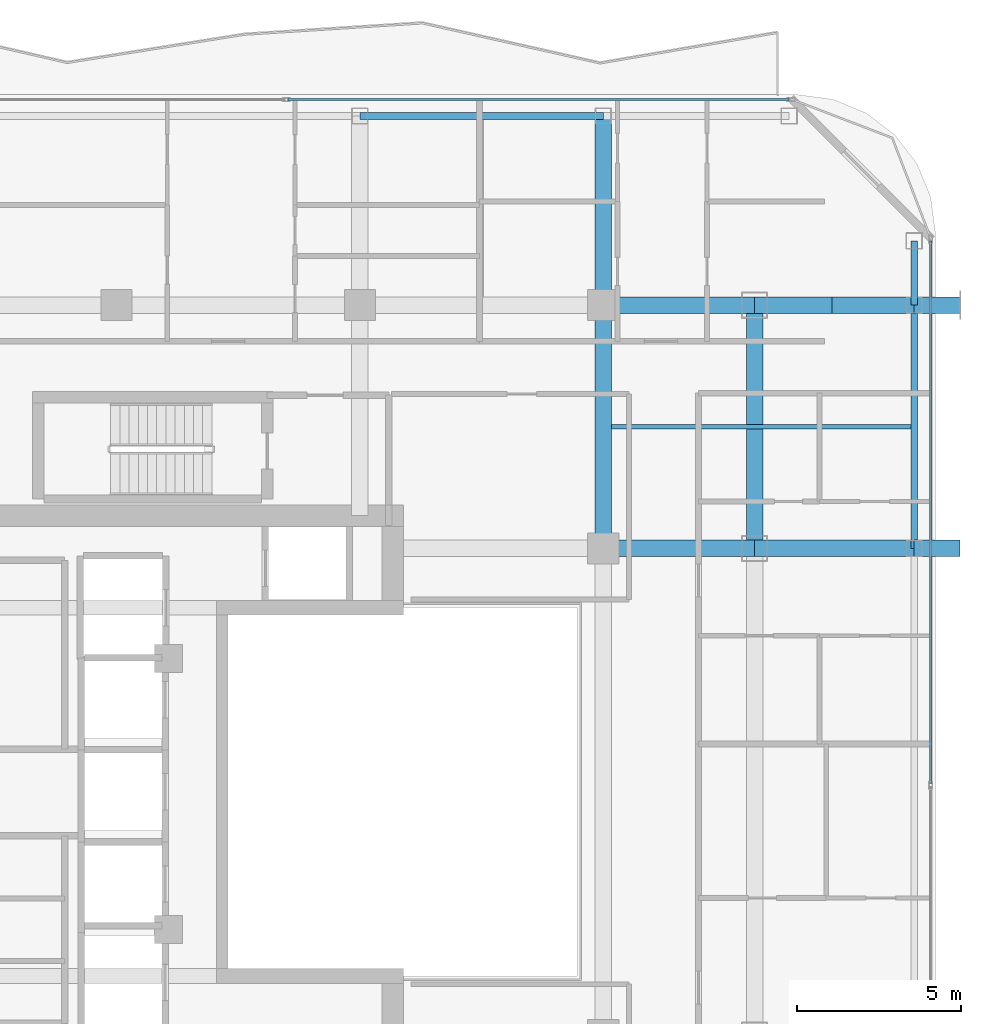
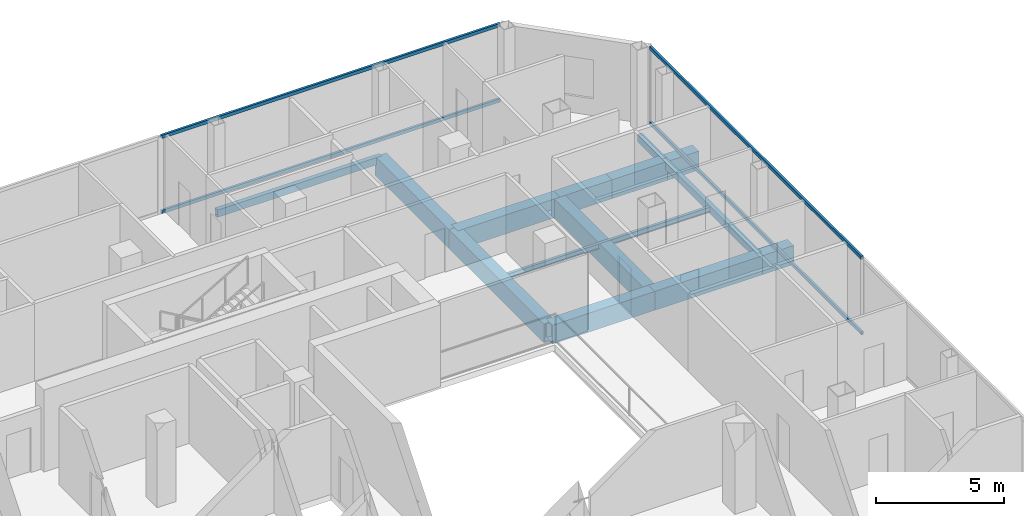
# One storey, part 15 of 25: 14 beams, 4 members, 2 elements without a shape of their own.
"""IFC4 building model written with IfcOpenShell, lengths in metres."""

from ifc_helpers import new_model, si_unit, direction, frame, origin, origin_2d, place, context, subcontext, project, spatial, hollow_rectangle, i_section, extrude, material, layer, layer_set, material_profile, profile_set, type_object, element, aggregate, save


model = new_model("IFC4")

# Units and contexts
model_context = context("Model", 3, precision=1e-05, world=origin(), true_north=direction((0.0, 1.0)))
body_context = subcontext(model_context, "Body", "Model", "MODEL_VIEW")
ifc_project = project(units=[si_unit("LENGTHUNIT", "METRE"), si_unit("AREAUNIT", "SQUARE_METRE"), si_unit("VOLUMEUNIT", "CUBIC_METRE"), si_unit("PLANEANGLEUNIT", "RADIAN"), si_unit("MASSUNIT", "GRAM", prefix="KILO")], contexts=[model_context])

# Site, building, storey
site_placement = place(None, origin())
site = spatial("IfcSite", under=ifc_project, at=site_placement, CompositionType="ELEMENT")
building_placement = place(site_placement, origin())
building = spatial("IfcBuilding", under=site, at=building_placement, Name="Khorvyn Point Tower", CompositionType="ELEMENT")
storey_placement = place(building_placement, frame((0.0, 0.0, 254.699951171875)))
storey = spatial("IfcBuildingStorey", under=building, at=storey_placement, Name="L62", CompositionType="ELEMENT", Elevation=254.699951171875)

# Curtain wall, members
ifc_material_1 = material(Name="Anodised aluminium 6063-T6 and laminated Low-E glass", Category="aluminium")
ifc_layer = layer(ifc_material_1, 0.18994140625)
ifc_layer_set = layer_set([ifc_layer], Name="Stick-Built High-Wind Curtain Wall CW-SYS-04")
curtain_wall_type = type_object("IfcCurtainWallType", Name="Stick-Built High-Wind Curtain Wall CW-SYS-04", PredefinedType="NOTDEFINED", material=ifc_layer_set)
curtain_wall_1_placement = place(storey_placement, origin())
curtain_wall_1 = element("IfcCurtainWall", 1, at=curtain_wall_1_placement, inside=storey, type_object=curtain_wall_type, Name="Curtain Wall", PredefinedType="NOTDEFINED")
ifc_material_2 = material(Name="Anodised aluminium 6063-T6", Category="aluminium")
ifc_material_profile_1 = material_profile(ifc_material_2, hollow_rectangle(XDim=0.10009765625, YDim=0.159912109375, WallThickness=0.00439453125, at=origin_2d()))
ifc_profile_set_1 = profile_set([ifc_material_profile_1], Name="Anodised aluminium 6063-T6 ALU-TRN-100x160")
member_type = type_object("IfcMemberType", Name="Anodised Aluminium 6063-T6 Transom ALU-TRN-100x160", PredefinedType="USERDEFINED", material=ifc_profile_set_1)
member_1_placement = place(storey_placement, frame((5.212890625, 21.050048828125, 0.050048828125), z_axis=(1.0, 0.0, 0.0), x_axis=(0.0, 1.0, 0.0)))
member_1 = element("IfcMember", 2, at=member_1_placement, type_object=member_type, Name="Transom", ObjectType="TRANSOM", PredefinedType="USERDEFINED", context=body_context, shape_type="SweptSolid", body=[
    extrude(hollow_rectangle(XDim=0.10009765625, YDim=0.159912109375, WallThickness=0.00439453125, at=origin_2d()), origin(), (0.0, 0.0, 1.0), 15.237060546875),
])
member_2_placement = place(storey_placement, frame((5.212890625, 21.050048828125, 3.630126953125), z_axis=(1.0, 0.0, 0.0), x_axis=(0.0, 1.0, 0.0)))
member_2 = element("IfcMember", 3, at=member_2_placement, type_object=member_type, Name="Transom", ObjectType="TRANSOM", PredefinedType="USERDEFINED", context=body_context, shape_type="SweptSolid", body=[
    extrude(hollow_rectangle(XDim=0.10009765625, YDim=0.159912109375, WallThickness=0.00439453125, at=origin_2d()), origin(), (0.0, 0.0, 1.0), 15.237060546875),
])
aggregate(curtain_wall_1, [member_1, member_2])

curtain_wall_2_placement = place(storey_placement, origin())
curtain_wall_2 = element("IfcCurtainWall", 4, at=curtain_wall_2_placement, inside=storey, type_object=curtain_wall_type, Name="Curtain Wall", PredefinedType="NOTDEFINED")
member_3_placement = place(storey_placement, frame((24.75, 16.75, 0.050048828125), z_axis=(0.0, -1.0, 0.0), x_axis=(1.0, 0.0, 0.0)))
member_3 = element("IfcMember", 5, at=member_3_placement, type_object=member_type, Name="Transom", ObjectType="TRANSOM", PredefinedType="USERDEFINED", context=body_context, shape_type="SweptSolid", body=[
    extrude(hollow_rectangle(XDim=0.10009765625, YDim=0.159912109375, WallThickness=0.00439453125, at=origin_2d()), origin(), (0.0, 0.0, 1.0), 16.5),
])
member_4_placement = place(storey_placement, frame((24.75, 16.75, 3.630126953125), z_axis=(0.0, -1.0, 0.0), x_axis=(1.0, 0.0, 0.0)))
member_4 = element("IfcMember", 6, at=member_4_placement, type_object=member_type, Name="Transom", ObjectType="TRANSOM", PredefinedType="USERDEFINED", context=body_context, shape_type="SweptSolid", body=[
    extrude(hollow_rectangle(XDim=0.10009765625, YDim=0.159912109375, WallThickness=0.00439453125, at=origin_2d()), origin(), (0.0, 0.0, 1.0), 16.5),
])
aggregate(curtain_wall_2, [member_3, member_4])

# Beams
ifc_material_3 = material(Name="Steel S355", Category="steel")
ifc_material_profile_2 = material_profile(ifc_material_3, i_section(OverallWidth=0.125, OverallDepth=0.25, WebThickness=0.006103515625, FlangeThickness=0.009033203125, at=origin_2d()))
ifc_profile_set_2 = profile_set([ifc_material_profile_2], Name="Steel S355 H250x125x6x9")
beam_type_1 = type_object("IfcBeamType", Name="Steel S355 Joist H250x125x6x9", PredefinedType="JOIST", material=ifc_profile_set_2)
beam_1_placement = place(storey_placement, frame((15.050048828125, 11.10009765625, -0.405029296875), z_axis=(1.0, 0.0, 0.0), x_axis=(0.0, 1.0, 0.0)))
element("IfcBeam", 7, at=beam_1_placement, inside=storey, type_object=beam_type_1, Name="Beam", PredefinedType="JOIST", context=body_context, shape_type="SweptSolid", body=[
    extrude(i_section(OverallWidth=0.125, OverallDepth=0.25, WebThickness=0.006103515625, FlangeThickness=0.009033203125, at=origin_2d()), origin(), (0.0, 0.0, 1.0), 9.099853515625),
])
ifc_material_profile_3 = material_profile(ifc_material_3, hollow_rectangle(XDim=0.199951171875, YDim=0.35009765625, WallThickness=0.013916015625, at=origin_2d()))
ifc_profile_set_3 = profile_set([ifc_material_profile_3], Name="Steel S355 RHS350x200x14")
beam_type_2 = type_object("IfcBeamType", Name="Steel S355 Spandrel RHS350x200x14", PredefinedType="SPANDREL", material=ifc_profile_set_3)
for number, where, z_axis, x_axis, name in (
    (8, (7.39990234375, 20.550048828125, -0.454833984375), (1.0, 0.0, 0.0), (0.0, 1.0, 0.0), "Beam"),
    (9, (24.25, 7.39990234375, -0.454833984375), (0.0, 1.0, 0.0), (-1.0, 0.0, 0.0), "Beam"),
):
    element("IfcBeam", number, at=place(storey_placement, frame(where, z_axis=z_axis, x_axis=x_axis)), inside=storey, type_object=beam_type_2, Name=name, PredefinedType="SPANDREL", context=body_context, shape_type="SweptSolid", body=[
        extrude(hollow_rectangle(XDim=0.199951171875, YDim=0.35009765625, WallThickness=0.013916015625, at=origin_2d()), origin(), (0.0, 0.0, 1.0), 7.400146484375),
    ])
beam_2_placement = place(storey_placement, frame((24.25, 14.800048828125, -0.454833984375), z_axis=(0.0, 1.0, 0.0), x_axis=(-1.0, 0.0, 0.0)))
element("IfcBeam", 10, at=beam_2_placement, inside=storey, type_object=beam_type_2, Name="Beam", PredefinedType="SPANDREL", context=body_context, shape_type="SweptSolid", body=[
    extrude(hollow_rectangle(XDim=0.199951171875, YDim=0.35009765625, WallThickness=0.013916015625, at=origin_2d()), origin(), (0.0, 0.0, 1.0), 1.949951171875),
])
ifc_material_4 = material(Name="Steel S450", Category="steel")
ifc_material_profile_4 = material_profile(ifc_material_4, hollow_rectangle(XDim=0.5, YDim=0.89990234375, WallThickness=0.0400390625, at=origin_2d()))
ifc_profile_set_4 = profile_set([ifc_material_profile_4], Name="Steel S450 BOX900x500x40")
beam_type_3 = type_object("IfcBeamType", Name="Steel S450 Beam BOX900x500x40", PredefinedType="BEAM", material=ifc_profile_set_4)
beam_3_placement = place(storey_placement, frame((14.800048828125, 14.800048828125, -0.72998046875), z_axis=(1.0, 0.0, 0.0), x_axis=(0.0, 1.0, 0.0)))
element("IfcBeam", 11, at=beam_3_placement, inside=storey, type_object=beam_type_3, Name="L62 Radial Transfer Girder", PredefinedType="BEAM", context=body_context, shape_type="SweptSolid", body=[
    extrude(hollow_rectangle(XDim=0.5, YDim=0.89990234375, WallThickness=0.0400390625, at=origin_2d()), origin(), (0.0, 0.0, 1.0), 4.599853515625),
])
beam_4_placement = place(storey_placement, frame((19.39990234375, 14.800048828125, -0.72998046875), z_axis=(1.0, 0.0, 0.0), x_axis=(0.0, 1.0, 0.0)))
element("IfcBeam", 12, at=beam_4_placement, inside=storey, type_object=beam_type_3, Name="L62 Radial Transfer Girder", PredefinedType="BEAM", context=body_context, shape_type="SweptSolid", body=[
    extrude(hollow_rectangle(XDim=0.5, YDim=0.89990234375, WallThickness=0.0400390625, at=origin_2d()), origin(), (0.0, 0.0, 1.0), 2.35009765625),
])
beam_5_placement = place(storey_placement, frame((21.75, 14.800048828125, -0.72998046875), z_axis=(1.0, 0.0, 0.0), x_axis=(0.0, 1.0, 0.0)))
element("IfcBeam", 13, at=beam_5_placement, inside=storey, type_object=beam_type_3, Name="L62 Radial Transfer Girder", PredefinedType="BEAM", context=body_context, shape_type="SweptSolid", body=[
    extrude(hollow_rectangle(XDim=0.5, YDim=0.89990234375, WallThickness=0.0400390625, at=origin_2d()), origin(), (0.0, 0.0, 1.0), 2.5),
])
beam_6_placement = place(storey_placement, frame((24.25, 14.800048828125, -0.72998046875), z_axis=(1.0, 0.0, 0.0), x_axis=(0.0, 1.0, 0.0)))
element("IfcBeam", 14, at=beam_6_placement, inside=storey, type_object=beam_type_3, Name="L62 Radial Transfer Girder", PredefinedType="BEAM", context=body_context, shape_type="SweptSolid", body=[
    extrude(hollow_rectangle(XDim=0.5, YDim=0.89990234375, WallThickness=0.0400390625, at=origin_2d()), origin(), (0.0, 0.0, 1.0), 1.39990234375),
])
beam_7_placement = place(storey_placement, frame((14.800048828125, 7.39990234375, -0.72998046875), z_axis=(1.0, 0.0, 0.0), x_axis=(0.0, 1.0, 0.0)))
element("IfcBeam", 15, at=beam_7_placement, inside=storey, type_object=beam_type_3, Name="Beam", PredefinedType="BEAM", context=body_context, shape_type="SweptSolid", body=[
    extrude(hollow_rectangle(XDim=0.5, YDim=0.89990234375, WallThickness=0.0400390625, at=origin_2d()), origin(), (0.0, 0.0, 1.0), 4.599853515625),
])
beam_8_placement = place(storey_placement, frame((19.39990234375, 7.39990234375, -0.72998046875), z_axis=(1.0, 0.0, 0.0), x_axis=(0.0, 1.0, 0.0)))
element("IfcBeam", 16, at=beam_8_placement, inside=storey, type_object=beam_type_3, Name="Beam", PredefinedType="BEAM", context=body_context, shape_type="SweptSolid", body=[
    extrude(hollow_rectangle(XDim=0.5, YDim=0.89990234375, WallThickness=0.0400390625, at=origin_2d()), origin(), (0.0, 0.0, 1.0), 4.85009765625),
])
beam_9_placement = place(storey_placement, frame((24.25, 7.39990234375, -0.72998046875), z_axis=(1.0, 0.0, 0.0), x_axis=(0.0, 1.0, 0.0)))
element("IfcBeam", 17, at=beam_9_placement, inside=storey, type_object=beam_type_3, Name="Beam", PredefinedType="BEAM", context=body_context, shape_type="SweptSolid", body=[
    extrude(hollow_rectangle(XDim=0.5, YDim=0.89990234375, WallThickness=0.0400390625, at=origin_2d()), origin(), (0.0, 0.0, 1.0), 1.39990234375),
])
beam_10_placement = place(storey_placement, frame((14.800048828125, 7.39990234375, -0.72998046875), z_axis=(0.0, 1.0, 0.0), x_axis=(-1.0, 0.0, 0.0)))
element("IfcBeam", 18, at=beam_10_placement, inside=storey, type_object=beam_type_3, Name="L62 Radial Transfer Girder", PredefinedType="BEAM", context=body_context, shape_type="SweptSolid", body=[
    extrude(hollow_rectangle(XDim=0.5, YDim=0.89990234375, WallThickness=0.0400390625, at=origin_2d()), origin(), (0.0, 0.0, 1.0), 7.400146484375),
])
beam_11_placement = place(storey_placement, frame((14.800048828125, 14.800048828125, -0.72998046875), z_axis=(0.0, 1.0, 0.0), x_axis=(-1.0, 0.0, 0.0)))
element("IfcBeam", 19, at=beam_11_placement, inside=storey, type_object=beam_type_3, Name="L62 Radial Transfer Girder", PredefinedType="BEAM", context=body_context, shape_type="SweptSolid", body=[
    extrude(hollow_rectangle(XDim=0.5, YDim=0.89990234375, WallThickness=0.0400390625, at=origin_2d()), origin(), (0.0, 0.0, 1.0), 5.75),
])
beam_12_placement = place(storey_placement, frame((19.39990234375, 7.39990234375, -0.72998046875), z_axis=(0.0, 1.0, 0.0), x_axis=(-1.0, 0.0, 0.0)))
element("IfcBeam", 20, at=beam_12_placement, inside=storey, type_object=beam_type_3, Name="Beam", PredefinedType="BEAM", context=body_context, shape_type="SweptSolid", body=[
    extrude(hollow_rectangle(XDim=0.5, YDim=0.89990234375, WallThickness=0.0400390625, at=origin_2d()), origin(), (0.0, 0.0, 1.0), 7.400146484375),
])

save(model, "model.ifc")
